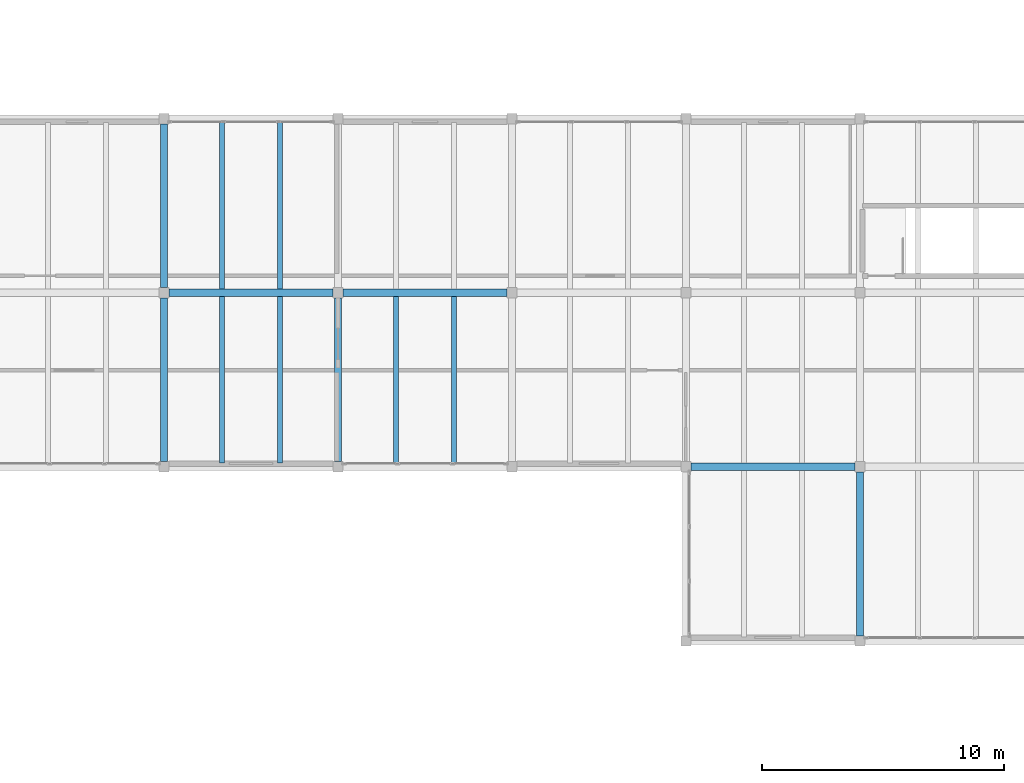
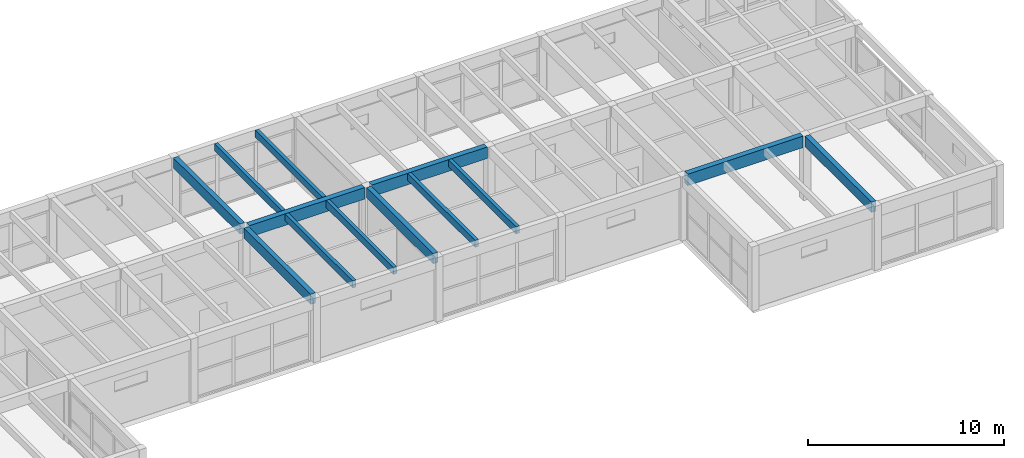
# One storey, part 42 of 68: 13 beams.
"""IFC4 building model written with IfcOpenShell, lengths in metres."""

import ifcopenshell
import ifcopenshell.guid

model = None  # the IFC model being written
_history = None  # IfcOwnerHistory: only IFC2X3 demands one
_inside = {}  # id of a spatial element -> (the spatial element, [elements in it])
_under = {}  # id of a project, library or spatial element -> (it, [spatial elements below it])
_declared = {}  # id of a project -> (the project, [libraries it declares])
_typed = {}  # id of a type object -> (the type object, [elements of that type])
_made_of = {}  # id of a material, layer set ... -> (it, [elements and type objects made of it])


def new_model(schema):
    """Start an empty IFC model of exactly this schema.

    Asked for "IFC4X3", IfcOpenShell would pick the latest addendum, in which some entities
    have other attributes; the version numbers below select the first issue.
    IFC2X3 requires an IfcOwnerHistory on every rooted entity: one is made here for all.
    """
    global model, _history
    if schema == "IFC4X3":
        model = ifcopenshell.file(schema_version=(4, 3, 0, 0))
    else:
        model = ifcopenshell.file(schema=schema)
    _inside.clear()
    _under.clear()
    _declared.clear()
    _typed.clear()
    _made_of.clear()
    _history = None
    if model.schema == "IFC2X3":
        org = make("IfcOrganization", Name="unknown")
        user = make(
            "IfcPersonAndOrganization",
            ThePerson=make("IfcPerson", FamilyName="unknown"),
            TheOrganization=org,
        )
        app = make(
            "IfcApplication",
            ApplicationDeveloper=org,
            Version="unknown",
            ApplicationFullName="unknown",
            ApplicationIdentifier="unknown",
        )
        _history = make(
            "IfcOwnerHistory",
            OwningUser=user,
            OwningApplication=app,
            ChangeAction="ADDED",
            CreationDate=0,
        )
    return model


def make(cls, **values):
    """One entity of the class cls with the attributes given. An attribute that is None is left unset."""
    return model.create_entity(
        cls, **{name: value for name, value in values.items() if value is not None}
    )


def rooted(cls, **values):
    """An entity with a GlobalId (a new one), such as an element, a storey or a relation."""
    return make(cls, GlobalId=ifcopenshell.guid.new(), OwnerHistory=_history, **values)


def si_unit(unit_type, name, prefix=None):
    """IfcSIUnit, for example si_unit("LENGTHUNIT", "METRE", prefix="MILLI")."""
    return make("IfcSIUnit", UnitType=unit_type, Prefix=prefix, Name=name)


def assignment(units):
    """IfcUnitAssignment: the units of a project."""
    return None if units is None else make("IfcUnitAssignment", Units=units)


def point(xyz):
    """IfcCartesianPoint."""
    return None if xyz is None else make("IfcCartesianPoint", Coordinates=xyz)


def direction(xyz):
    """IfcDirection."""
    return None if xyz is None else make("IfcDirection", DirectionRatios=xyz)


def frame(location, z_axis=None, x_axis=None):
    """IfcAxis2Placement3D, a coordinate frame: its origin and axes. An axis left out is left unset."""
    return make(
        "IfcAxis2Placement3D",
        Location=point(location),
        Axis=direction(z_axis),
        RefDirection=direction(x_axis),
    )


def frame_2d(location, x_axis=None):
    """IfcAxis2Placement2D, a coordinate frame in the plane: its origin and x axis."""
    return make(
        "IfcAxis2Placement2D", Location=point(location), RefDirection=direction(x_axis)
    )


def origin():
    """The frame at (0, 0, 0) with its axes left unset."""
    return frame((0.0, 0.0, 0.0))


def origin_2d():
    """The frame at (0, 0) in the plane with its x axis left unset."""
    return frame_2d((0.0, 0.0))


def place(relative_to, where):
    """IfcLocalPlacement: puts the frame where relative to a parent placement (None: the world)."""
    return make(
        "IfcLocalPlacement", PlacementRelTo=relative_to, RelativePlacement=where
    )


def context(
    kind, dimensions, precision=None, world=None, true_north=None, identifier=None
):
    """IfcGeometricRepresentationContext, for example the 3D "Model" context."""
    return make(
        "IfcGeometricRepresentationContext",
        ContextIdentifier=identifier,
        ContextType=kind,
        CoordinateSpaceDimension=dimensions,
        Precision=precision,
        WorldCoordinateSystem=world,
        TrueNorth=true_north,
    )


def subcontext(parent, identifier, kind, view, scale=None):
    """IfcGeometricRepresentationSubContext, for example "Body" below "Model"."""
    return make(
        "IfcGeometricRepresentationSubContext",
        ContextIdentifier=identifier,
        ContextType=kind,
        ParentContext=parent,
        TargetScale=scale,
        TargetView=view,
    )


def project(units=None, contexts=None):
    """IfcProject with its units and contexts."""
    return rooted(
        "IfcProject",
        Name="project",
        RepresentationContexts=contexts,
        UnitsInContext=assignment(units),
    )


def spatial(cls, under=None, at=None, **own):
    """A site, building, storey or space (cls), placed at a placement, below another one or the project."""
    s = rooted(cls, ObjectPlacement=at, **own)
    if under is not None:
        _under.setdefault(under.id(), (under, []))[1].append(s)
    return s


def profile(cls, at=None, kind="AREA", **sizes):
    """A parametric profile (cls). Its sizes go by their IFC names, for example OverallWidth=200.0."""
    return make(cls, ProfileType=kind, Position=at, **sizes)


def rectangle(**sizes):
    """IfcRectangleProfileDef."""
    return profile("IfcRectangleProfileDef", **sizes)


def extrude(swept, where, along, depth):
    """IfcExtrudedAreaSolid: the profile swept, set in the frame where, extruded along a direction by depth."""
    return make(
        "IfcExtrudedAreaSolid",
        SweptArea=swept,
        Position=where,
        ExtrudedDirection=direction(along),
        Depth=depth,
    )


def shape(context_of_items, identifier, shape_type, items):
    """IfcShapeRepresentation: the items that make up one representation, for example the "Body"."""
    return make(
        "IfcShapeRepresentation",
        ContextOfItems=context_of_items,
        RepresentationIdentifier=identifier,
        RepresentationType=shape_type,
        Items=items,
    )


def material(Name=None, Category=None):
    """IfcMaterial."""
    return make("IfcMaterial", Name=Name, Category=Category)


def material_profile(
    of_material, cross_section, Name=None, Category=None, Priority=None
):
    """IfcMaterialProfile: a cross section and its material."""
    return make(
        "IfcMaterialProfile",
        Name=Name,
        Material=of_material,
        Profile=cross_section,
        Priority=Priority,
        Category=Category,
    )


def profile_set(profiles, Name=None, composite=None):
    """IfcMaterialProfileSet."""
    return make(
        "IfcMaterialProfileSet",
        Name=Name,
        MaterialProfiles=profiles,
        CompositeProfile=composite,
    )


def made_of(thing, what):
    """Note that an element or type object is made of a material, layer set ...; save() writes the relation."""
    if what is not None:
        _made_of.setdefault(what.id(), (what, []))[1].append(thing)
    return thing


def type_object(cls, material=None, **own):
    """A type object (cls), such as IfcWallType, which elements share."""
    return made_of(rooted(cls, **own), material)


def element(
    cls,
    number,
    at=None,
    inside=None,
    cuts=None,
    type_object=None,
    material=None,
    context=None,
    identifier="Body",
    shape_type=None,
    held_by="IfcProductDefinitionShape",
    body=None,
    shapes=None,
    **own,
):
    """One element of the class cls, such as IfcWall. Its Tag is "e" and its number.

    at: its placement. inside: the storey or other place that contains it. cuts: it is an
    opening in that element (IfcRelVoidsElement). A single representation is given by context,
    identifier, shape_type and body (its items); several are given by shapes. held_by: the class
    of the entity that holds the representations. save() writes the other relations.
    """
    e = rooted(cls, Tag="e%d" % number, ObjectPlacement=at, **own)
    if body is not None:
        shapes = [shape(context, identifier, shape_type, body)]
    if shapes is not None:
        e.Representation = make(held_by, Representations=shapes)
    if inside is not None:
        _inside.setdefault(inside.id(), (inside, []))[1].append(e)
    if cuts is not None:
        rooted(
            "IfcRelVoidsElement", RelatingBuildingElement=cuts, RelatedOpeningElement=e
        )
    if type_object is not None:
        _typed.setdefault(type_object.id(), (type_object, []))[1].append(e)
    return made_of(e, material)


def aggregate(whole, parts):
    """IfcRelAggregates: a whole, such as a stair, and the parts it consists of."""
    return rooted("IfcRelAggregates", RelatingObject=whole, RelatedObjects=parts)


def save(model, path):
    """Write the relations noted so far, then the file.

    IfcRelAggregates (storeys below a building ...), IfcRelContainedInSpatialStructure (elements
    in a storey), IfcRelDefinesByType, IfcRelAssociatesMaterial and IfcRelDeclares: one each for
    every whole, place, type object, material and project.
    """
    for whole, parts in _under.values():
        aggregate(whole, parts)
    for where, things in _inside.values():
        rooted(
            "IfcRelContainedInSpatialStructure",
            RelatedElements=things,
            RelatingStructure=where,
        )
    for kind, things in _typed.values():
        rooted("IfcRelDefinesByType", RelatedObjects=things, RelatingType=kind)
    for what, things in _made_of.values():
        rooted("IfcRelAssociatesMaterial", RelatedObjects=things, RelatingMaterial=what)
    for by, libraries in _declared.values():
        rooted("IfcRelDeclares", RelatingContext=by, RelatedDefinitions=libraries)
    model.write(path)


model = new_model("IFC4")

# Units and contexts
model_context = context("Model", 3, precision=1e-05, world=origin(), true_north=direction((0.0, 1.0)))
body_context = subcontext(model_context, "Body", "Model", "MODEL_VIEW")
ifc_project = project(units=[si_unit("LENGTHUNIT", "METRE"), si_unit("AREAUNIT", "SQUARE_METRE"), si_unit("VOLUMEUNIT", "CUBIC_METRE"), si_unit("PLANEANGLEUNIT", "RADIAN"), si_unit("MASSUNIT", "GRAM", prefix="KILO")], contexts=[model_context])

# Site, building, storey
site_placement = place(None, origin())
site = spatial("IfcSite", under=ifc_project, at=site_placement, CompositionType="ELEMENT")
building_placement = place(site_placement, origin())
building = spatial("IfcBuilding", under=site, at=building_placement, Name="Bramvelor Terrace Health Centre", CompositionType="ELEMENT")
storey_placement = place(building_placement, frame((0.0, 0.0, 9.300048828125)))
storey = spatial("IfcBuildingStorey", under=building, at=storey_placement, Name="L03", CompositionType="ELEMENT", Elevation=9.300048828125)

# Beams
ifc_material_1 = material(Name="Glulam GL28h", Category="wood")
ifc_material_profile_1 = material_profile(ifc_material_1, rectangle(XDim=0.280029296875, YDim=0.639892578125, at=origin_2d()), Name="GL 280x640")
ifc_profile_set_1 = profile_set([ifc_material_profile_1], Name="Glulam GL28h")
beam_type_1 = type_object("IfcBeamType", Name="BM-GL-G640", PredefinedType="BEAM", material=ifc_profile_set_1)
beam_1_placement = place(storey_placement, frame((129.60009765625, 50.610107421875, 3.669921875), z_axis=(0.0, 1.0, 0.0), x_axis=(-1.0, 0.0, 0.0)))
element("IfcBeam", 1, at=beam_1_placement, inside=storey, type_object=beam_type_1, Name="L03 Floor Girder", PredefinedType="BEAM", context=body_context, shape_type="SweptSolid", body=[
    extrude(rectangle(XDim=0.280029296875, YDim=0.639892578125, at=origin_2d()), origin(), (0.0, 0.0, 1.0), 6.77978515625),
])
beam_2_placement = place(storey_placement, frame((129.60009765625, 57.81005859375, 3.669921875), z_axis=(0.0, 1.0, 0.0), x_axis=(-1.0, 0.0, 0.0)))
element("IfcBeam", 2, at=beam_2_placement, inside=storey, type_object=beam_type_1, Name="L03 Floor Girder", PredefinedType="BEAM", context=body_context, shape_type="SweptSolid", body=[
    extrude(rectangle(XDim=0.280029296875, YDim=0.639892578125, at=origin_2d()), origin(), (0.0, 0.0, 1.0), 6.780029296875),
])
beam_3_placement = place(storey_placement, frame((136.800048828125, 50.610107421875, 3.669921875), z_axis=(0.0, 1.0, 0.0), x_axis=(-1.0, 0.0, 0.0)))
element("IfcBeam", 3, at=beam_3_placement, inside=storey, type_object=beam_type_1, Name="L03 Floor Girder", PredefinedType="BEAM", context=body_context, shape_type="SweptSolid", body=[
    extrude(rectangle(XDim=0.280029296875, YDim=0.639892578125, at=origin_2d()), origin(), (0.0, 0.0, 1.0), 6.77978515625),
])
beam_4_placement = place(storey_placement, frame((158.39990234375, 43.409912109375, 3.669921875), z_axis=(0.0, 1.0, 0.0), x_axis=(-1.0, 0.0, 0.0)))
element("IfcBeam", 4, at=beam_4_placement, inside=storey, type_object=beam_type_1, Name="L03 Floor Girder", PredefinedType="BEAM", context=body_context, shape_type="SweptSolid", body=[
    extrude(rectangle(XDim=0.280029296875, YDim=0.639892578125, at=origin_2d()), origin(), (0.0, 0.0, 1.0), 6.780029296875),
])
ifc_material_2 = material(Name="Glulam GL28h", Category="wood")
ifc_material_profile_2 = material_profile(ifc_material_2, rectangle(XDim=0.320068359375, YDim=0.719970703125, at=origin_2d()), Name="GL 320x720")
ifc_profile_set_2 = profile_set([ifc_material_profile_2], Name="Glulam GL28h")
beam_type_2 = type_object("IfcBeamType", Name="BM-GL-G720", PredefinedType="BEAM", material=ifc_profile_set_2)
for number, where, z_axis, x_axis, name in (
    (5, (129.81005859375, 57.60009765625, 3.6298828125), (1.0, 0.0, 0.0), (0.0, 1.0, 0.0), "L03 Floor Girder"),
    (6, (137.010009765625, 57.60009765625, 3.6298828125), (1.0, 0.0, 0.0), (0.0, 1.0, 0.0), "L03 Floor Girder"),
    (7, (151.409912109375, 50.39990234375, 3.6298828125), (1.0, 0.0, 0.0), (0.0, 1.0, 0.0), "L03 Floor Girder"),
):
    element("IfcBeam", number, at=place(storey_placement, frame(where, z_axis=z_axis, x_axis=x_axis)), inside=storey, type_object=beam_type_2, Name=name, PredefinedType="BEAM", context=body_context, shape_type="SweptSolid", body=[
        extrude(rectangle(XDim=0.320068359375, YDim=0.719970703125, at=origin_2d()), origin(), (0.0, 0.0, 1.0), 6.780029296875),
    ])
ifc_material_3 = material(Name="Glulam GL28h", Category="wood")
ifc_material_profile_3 = material_profile(ifc_material_3, rectangle(XDim=0.199951171875, YDim=0.43994140625, at=origin_2d()), Name="GL 200x440")
ifc_profile_set_3 = profile_set([ifc_material_profile_3], Name="Glulam GL28h")
beam_type_3 = type_object("IfcBeamType", Name="BM-GL-J440", PredefinedType="JOIST", material=ifc_profile_set_3)
for number, where, z_axis, x_axis, name in (
    (8, (132.0, 50.56005859375, 3.77001953125), (0.0, 1.0, 0.0), (-1.0, 0.0, 0.0), "L03 Secondary Floor Joist"),
    (9, (134.39990234375, 50.56005859375, 3.77001953125), (0.0, 1.0, 0.0), (-1.0, 0.0, 0.0), "L03 Secondary Floor Joist"),
    (10, (132.0, 57.760009765625, 3.77001953125), (0.0, 1.0, 0.0), (-1.0, 0.0, 0.0), "L03 Secondary Floor Joist"),
    (11, (134.39990234375, 57.760009765625, 3.77001953125), (0.0, 1.0, 0.0), (-1.0, 0.0, 0.0), "L03 Secondary Floor Joist"),
    (12, (139.199951171875, 50.56005859375, 3.77001953125), (0.0, 1.0, 0.0), (-1.0, 0.0, 0.0), "L03 Secondary Floor Joist"),
    (13, (141.60009765625, 50.56005859375, 3.77001953125), (0.0, 1.0, 0.0), (-1.0, 0.0, 0.0), "L03 Secondary Floor Joist"),
):
    element("IfcBeam", number, at=place(storey_placement, frame(where, z_axis=z_axis, x_axis=x_axis)), inside=storey, type_object=beam_type_3, Name=name, PredefinedType="JOIST", context=body_context, shape_type="SweptSolid", body=[
        extrude(rectangle(XDim=0.199951171875, YDim=0.43994140625, at=origin_2d()), origin(), (0.0, 0.0, 1.0), 6.8798828125),
    ])

save(model, "model.ifc")
